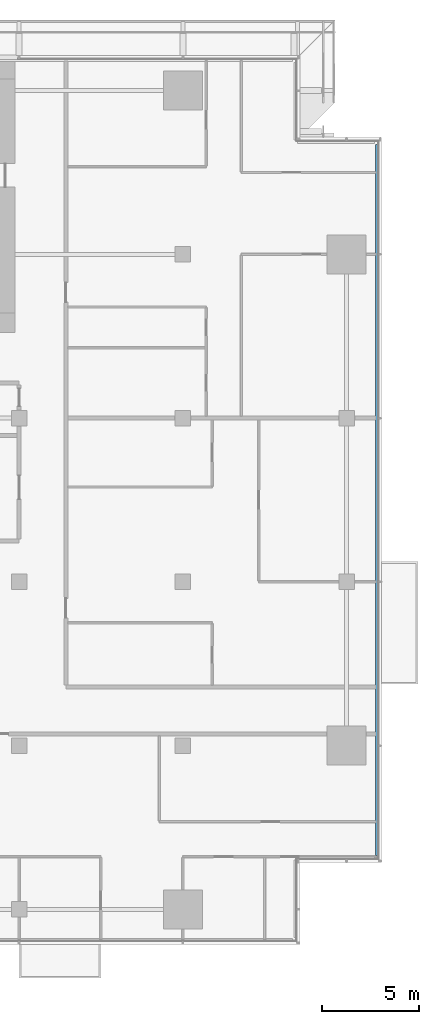
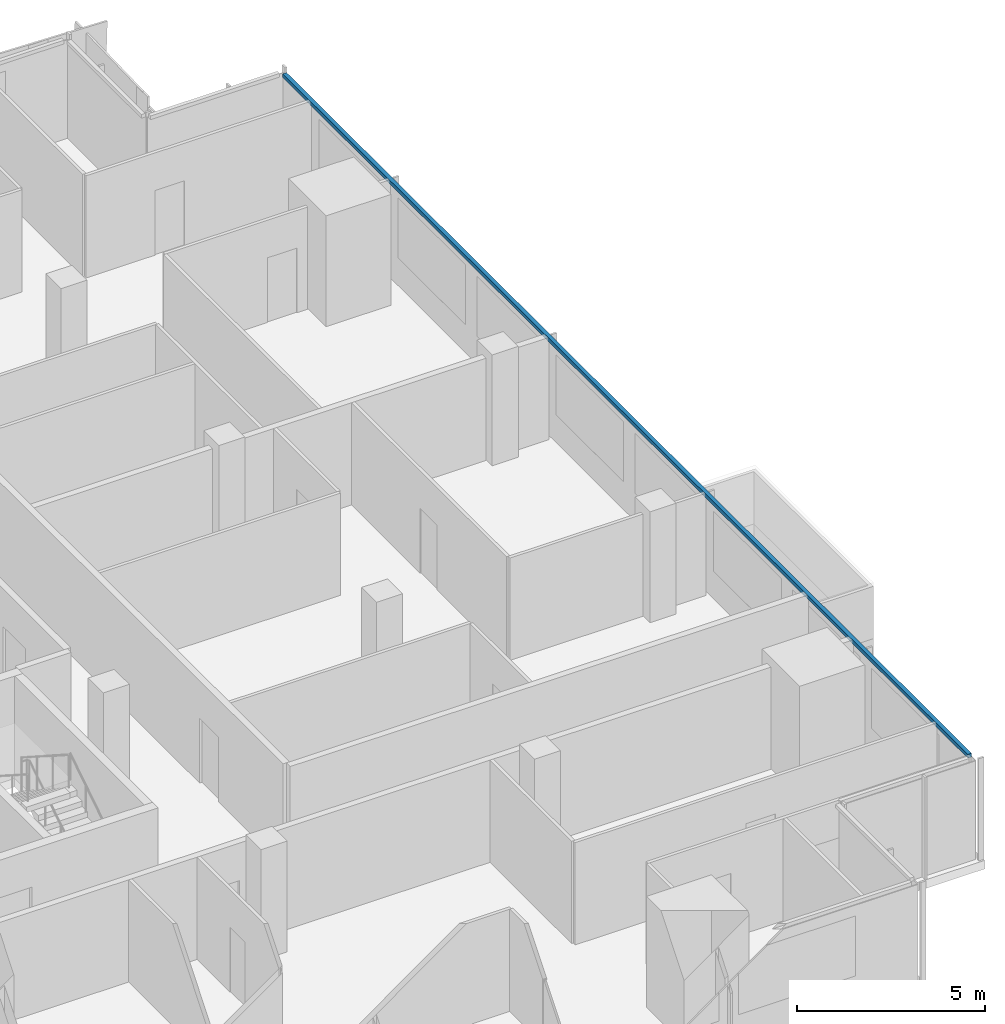
# One storey, part 12 of 29: 1 member, 1 element without a shape of its own.
"""IFC4 building model written with IfcOpenShell, lengths in metres."""

from ifc_helpers import new_model, si_unit, direction, frame, origin, origin_2d, place, context, subcontext, project, spatial, rectangle, extrude, material, material_profile, profile_set, type_object, element, aggregate, save


model = new_model("IFC4")

# Units and contexts
model_context = context("Model", 3, precision=1e-05, world=origin(), true_north=direction((0.0, 1.0)))
body_context = subcontext(model_context, "Body", "Model", "MODEL_VIEW")
ifc_project = project(units=[si_unit("LENGTHUNIT", "METRE"), si_unit("AREAUNIT", "SQUARE_METRE"), si_unit("VOLUMEUNIT", "CUBIC_METRE"), si_unit("PLANEANGLEUNIT", "RADIAN"), si_unit("MASSUNIT", "GRAM", prefix="KILO")], contexts=[model_context])

# Site, building, storey
site_placement = place(None, origin())
site = spatial("IfcSite", under=ifc_project, at=site_placement, CompositionType="ELEMENT")
building_placement = place(site_placement, origin())
building = spatial("IfcBuilding", under=site, at=building_placement, Name="Saffron Gate Tower", CompositionType="ELEMENT")
storey_placement = place(building_placement, frame((0.0, 0.0, 116.85009765625)))
storey = spatial("IfcBuildingStorey", under=building, at=storey_placement, Name="L27", CompositionType="ELEMENT", Elevation=116.85009765625)

# Curtain wall, member
ifc_material = material(Name="Aluminium, bronze anodised", Category="aluminium")
curtain_wall_type = type_object("IfcCurtainWallType", Name="CWS2 curtain wall side facades", PredefinedType="NOTDEFINED", material=ifc_material)
curtain_wall_placement = place(storey_placement, origin())
curtain_wall = element("IfcCurtainWall", 1, at=curtain_wall_placement, inside=storey, type_object=curtain_wall_type, Name="CWS2 run 4", PredefinedType="NOTDEFINED")
ifc_material_profile = material_profile(ifc_material, rectangle(XDim=0.1201171875, YDim=0.1201171875, at=origin_2d()))
ifc_profile_set = profile_set([ifc_material_profile], Name="Aluminium, bronze anodised")
member_type = type_object("IfcMemberType", Name="CWS2 head transom", PredefinedType="USERDEFINED", material=ifc_profile_set)
member_placement = place(storey_placement, frame((126.951904296875, 34.568115234375, 3.260009765625), z_axis=(0.0, 1.0, 0.0), x_axis=(-1.0, 0.0, 0.0)))
member = element("IfcMember", 2, at=member_placement, type_object=member_type, Name="CWS2 head transom", ObjectType="TRANSOM", PredefinedType="USERDEFINED", context=body_context, shape_type="SweptSolid", body=[
    extrude(rectangle(XDim=0.1201171875, YDim=0.1201171875, at=origin_2d()), origin(), (0.0, 0.0, 1.0), 36.4638671875),
])
aggregate(curtain_wall, [member])

save(model, "model.ifc")
